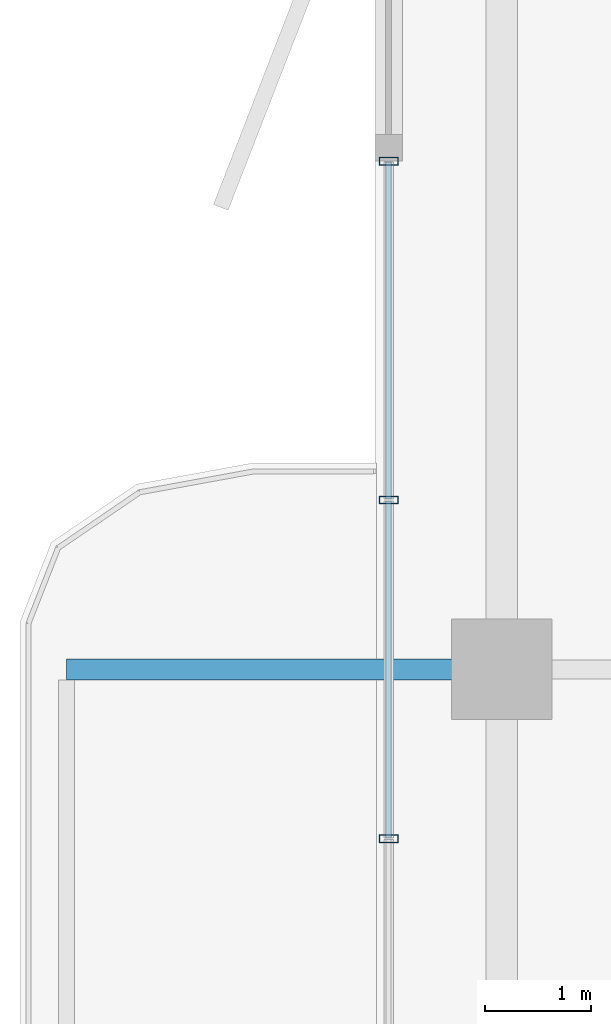
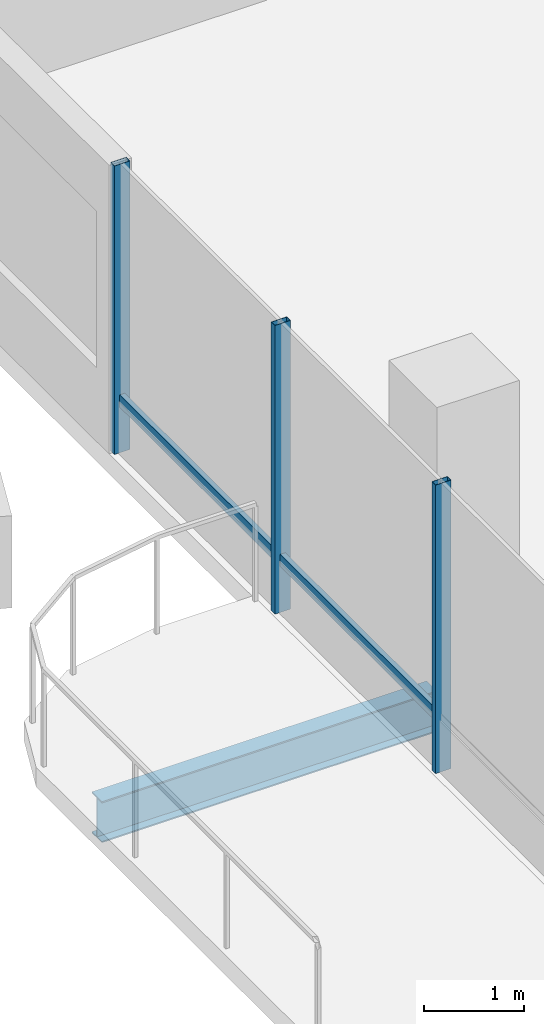
# One storey, part 6 of 18: 5 members, 1 beam, 1 element without a shape of its own.
"""IFC4 building model written with IfcOpenShell, lengths in metres."""

import ifcopenshell
import ifcopenshell.guid

model = None  # the IFC model being written
_history = None  # IfcOwnerHistory: only IFC2X3 demands one
_inside = {}  # id of a spatial element -> (the spatial element, [elements in it])
_under = {}  # id of a project, library or spatial element -> (it, [spatial elements below it])
_declared = {}  # id of a project -> (the project, [libraries it declares])
_typed = {}  # id of a type object -> (the type object, [elements of that type])
_made_of = {}  # id of a material, layer set ... -> (it, [elements and type objects made of it])


def new_model(schema):
    """Start an empty IFC model of exactly this schema.

    Asked for "IFC4X3", IfcOpenShell would pick the latest addendum, in which some entities
    have other attributes; the version numbers below select the first issue.
    IFC2X3 requires an IfcOwnerHistory on every rooted entity: one is made here for all.
    """
    global model, _history
    if schema == "IFC4X3":
        model = ifcopenshell.file(schema_version=(4, 3, 0, 0))
    else:
        model = ifcopenshell.file(schema=schema)
    _inside.clear()
    _under.clear()
    _declared.clear()
    _typed.clear()
    _made_of.clear()
    _history = None
    if model.schema == "IFC2X3":
        org = make("IfcOrganization", Name="unknown")
        user = make(
            "IfcPersonAndOrganization",
            ThePerson=make("IfcPerson", FamilyName="unknown"),
            TheOrganization=org,
        )
        app = make(
            "IfcApplication",
            ApplicationDeveloper=org,
            Version="unknown",
            ApplicationFullName="unknown",
            ApplicationIdentifier="unknown",
        )
        _history = make(
            "IfcOwnerHistory",
            OwningUser=user,
            OwningApplication=app,
            ChangeAction="ADDED",
            CreationDate=0,
        )
    return model


def make(cls, **values):
    """One entity of the class cls with the attributes given. An attribute that is None is left unset."""
    return model.create_entity(
        cls, **{name: value for name, value in values.items() if value is not None}
    )


def rooted(cls, **values):
    """An entity with a GlobalId (a new one), such as an element, a storey or a relation."""
    return make(cls, GlobalId=ifcopenshell.guid.new(), OwnerHistory=_history, **values)


def si_unit(unit_type, name, prefix=None):
    """IfcSIUnit, for example si_unit("LENGTHUNIT", "METRE", prefix="MILLI")."""
    return make("IfcSIUnit", UnitType=unit_type, Prefix=prefix, Name=name)


def assignment(units):
    """IfcUnitAssignment: the units of a project."""
    return None if units is None else make("IfcUnitAssignment", Units=units)


def point(xyz):
    """IfcCartesianPoint."""
    return None if xyz is None else make("IfcCartesianPoint", Coordinates=xyz)


def direction(xyz):
    """IfcDirection."""
    return None if xyz is None else make("IfcDirection", DirectionRatios=xyz)


def frame(location, z_axis=None, x_axis=None):
    """IfcAxis2Placement3D, a coordinate frame: its origin and axes. An axis left out is left unset."""
    return make(
        "IfcAxis2Placement3D",
        Location=point(location),
        Axis=direction(z_axis),
        RefDirection=direction(x_axis),
    )


def frame_2d(location, x_axis=None):
    """IfcAxis2Placement2D, a coordinate frame in the plane: its origin and x axis."""
    return make(
        "IfcAxis2Placement2D", Location=point(location), RefDirection=direction(x_axis)
    )


def origin():
    """The frame at (0, 0, 0) with its axes left unset."""
    return frame((0.0, 0.0, 0.0))


def origin_2d():
    """The frame at (0, 0) in the plane with its x axis left unset."""
    return frame_2d((0.0, 0.0))


def place(relative_to, where):
    """IfcLocalPlacement: puts the frame where relative to a parent placement (None: the world)."""
    return make(
        "IfcLocalPlacement", PlacementRelTo=relative_to, RelativePlacement=where
    )


def context(
    kind, dimensions, precision=None, world=None, true_north=None, identifier=None
):
    """IfcGeometricRepresentationContext, for example the 3D "Model" context."""
    return make(
        "IfcGeometricRepresentationContext",
        ContextIdentifier=identifier,
        ContextType=kind,
        CoordinateSpaceDimension=dimensions,
        Precision=precision,
        WorldCoordinateSystem=world,
        TrueNorth=true_north,
    )


def subcontext(parent, identifier, kind, view, scale=None):
    """IfcGeometricRepresentationSubContext, for example "Body" below "Model"."""
    return make(
        "IfcGeometricRepresentationSubContext",
        ContextIdentifier=identifier,
        ContextType=kind,
        ParentContext=parent,
        TargetScale=scale,
        TargetView=view,
    )


def project(units=None, contexts=None):
    """IfcProject with its units and contexts."""
    return rooted(
        "IfcProject",
        Name="project",
        RepresentationContexts=contexts,
        UnitsInContext=assignment(units),
    )


def spatial(cls, under=None, at=None, **own):
    """A site, building, storey or space (cls), placed at a placement, below another one or the project."""
    s = rooted(cls, ObjectPlacement=at, **own)
    if under is not None:
        _under.setdefault(under.id(), (under, []))[1].append(s)
    return s


def profile(cls, at=None, kind="AREA", **sizes):
    """A parametric profile (cls). Its sizes go by their IFC names, for example OverallWidth=200.0."""
    return make(cls, ProfileType=kind, Position=at, **sizes)


def hollow_rectangle(**sizes):
    """IfcRectangleHollowProfileDef."""
    return profile("IfcRectangleHollowProfileDef", **sizes)


def i_section(**sizes):
    """IfcIShapeProfileDef."""
    return profile("IfcIShapeProfileDef", **sizes)


def extrude(swept, where, along, depth):
    """IfcExtrudedAreaSolid: the profile swept, set in the frame where, extruded along a direction by depth."""
    return make(
        "IfcExtrudedAreaSolid",
        SweptArea=swept,
        Position=where,
        ExtrudedDirection=direction(along),
        Depth=depth,
    )


def shape(context_of_items, identifier, shape_type, items):
    """IfcShapeRepresentation: the items that make up one representation, for example the "Body"."""
    return make(
        "IfcShapeRepresentation",
        ContextOfItems=context_of_items,
        RepresentationIdentifier=identifier,
        RepresentationType=shape_type,
        Items=items,
    )


def material(Name=None, Category=None):
    """IfcMaterial."""
    return make("IfcMaterial", Name=Name, Category=Category)


def layer(
    of_material, thickness, ventilated=None, Name=None, Category=None, Priority=None
):
    """IfcMaterialLayer: one layer of a wall or slab, of a material (None: an air gap)."""
    return make(
        "IfcMaterialLayer",
        Material=of_material,
        LayerThickness=thickness,
        IsVentilated=ventilated,
        Name=Name,
        Category=Category,
        Priority=Priority,
    )


def layer_set(layers, Name=None):
    """IfcMaterialLayerSet."""
    return make("IfcMaterialLayerSet", MaterialLayers=layers, LayerSetName=Name)


def material_profile(
    of_material, cross_section, Name=None, Category=None, Priority=None
):
    """IfcMaterialProfile: a cross section and its material."""
    return make(
        "IfcMaterialProfile",
        Name=Name,
        Material=of_material,
        Profile=cross_section,
        Priority=Priority,
        Category=Category,
    )


def profile_set(profiles, Name=None, composite=None):
    """IfcMaterialProfileSet."""
    return make(
        "IfcMaterialProfileSet",
        Name=Name,
        MaterialProfiles=profiles,
        CompositeProfile=composite,
    )


def made_of(thing, what):
    """Note that an element or type object is made of a material, layer set ...; save() writes the relation."""
    if what is not None:
        _made_of.setdefault(what.id(), (what, []))[1].append(thing)
    return thing


def type_object(cls, material=None, **own):
    """A type object (cls), such as IfcWallType, which elements share."""
    return made_of(rooted(cls, **own), material)


def element(
    cls,
    number,
    at=None,
    inside=None,
    cuts=None,
    type_object=None,
    material=None,
    context=None,
    identifier="Body",
    shape_type=None,
    held_by="IfcProductDefinitionShape",
    body=None,
    shapes=None,
    **own,
):
    """One element of the class cls, such as IfcWall. Its Tag is "e" and its number.

    at: its placement. inside: the storey or other place that contains it. cuts: it is an
    opening in that element (IfcRelVoidsElement). A single representation is given by context,
    identifier, shape_type and body (its items); several are given by shapes. held_by: the class
    of the entity that holds the representations. save() writes the other relations.
    """
    e = rooted(cls, Tag="e%d" % number, ObjectPlacement=at, **own)
    if body is not None:
        shapes = [shape(context, identifier, shape_type, body)]
    if shapes is not None:
        e.Representation = make(held_by, Representations=shapes)
    if inside is not None:
        _inside.setdefault(inside.id(), (inside, []))[1].append(e)
    if cuts is not None:
        rooted(
            "IfcRelVoidsElement", RelatingBuildingElement=cuts, RelatedOpeningElement=e
        )
    if type_object is not None:
        _typed.setdefault(type_object.id(), (type_object, []))[1].append(e)
    return made_of(e, material)


def aggregate(whole, parts):
    """IfcRelAggregates: a whole, such as a stair, and the parts it consists of."""
    return rooted("IfcRelAggregates", RelatingObject=whole, RelatedObjects=parts)


def save(model, path):
    """Write the relations noted so far, then the file.

    IfcRelAggregates (storeys below a building ...), IfcRelContainedInSpatialStructure (elements
    in a storey), IfcRelDefinesByType, IfcRelAssociatesMaterial and IfcRelDeclares: one each for
    every whole, place, type object, material and project.
    """
    for whole, parts in _under.values():
        aggregate(whole, parts)
    for where, things in _inside.values():
        rooted(
            "IfcRelContainedInSpatialStructure",
            RelatedElements=things,
            RelatingStructure=where,
        )
    for kind, things in _typed.values():
        rooted("IfcRelDefinesByType", RelatedObjects=things, RelatingType=kind)
    for what, things in _made_of.values():
        rooted("IfcRelAssociatesMaterial", RelatedObjects=things, RelatingMaterial=what)
    for by, libraries in _declared.values():
        rooted("IfcRelDeclares", RelatingContext=by, RelatedDefinitions=libraries)
    model.write(path)


model = new_model("IFC4")

# Units and contexts
model_context = context("Model", 3, precision=1e-05, world=origin(), true_north=direction((0.0, 1.0)))
body_context = subcontext(model_context, "Body", "Model", "MODEL_VIEW")
ifc_project = project(units=[si_unit("LENGTHUNIT", "METRE"), si_unit("AREAUNIT", "SQUARE_METRE"), si_unit("VOLUMEUNIT", "CUBIC_METRE"), si_unit("PLANEANGLEUNIT", "RADIAN"), si_unit("MASSUNIT", "GRAM", prefix="KILO")], contexts=[model_context])

# Site, building, storey
site_placement = place(None, origin())
site = spatial("IfcSite", under=ifc_project, at=site_placement, CompositionType="ELEMENT")
building_placement = place(site_placement, origin())
building = spatial("IfcBuilding", under=site, at=building_placement, Name="Belovzor Exchange Tower", CompositionType="ELEMENT")
storey_placement = place(building_placement, frame((0.0, 0.0, 318.0)))
storey = spatial("IfcBuildingStorey", under=building, at=storey_placement, Name="L79", CompositionType="ELEMENT", Elevation=318.0)

# Beam
ifc_material_1 = material(Name="Steel S355", Category="steel")
ifc_material_profile_1 = material_profile(ifc_material_1, i_section(OverallWidth=0.199951171875, OverallDepth=0.5, WebThickness=0.01025390625, FlangeThickness=0.01611328125, at=origin_2d()))
ifc_profile_set_1 = profile_set([ifc_material_profile_1], Name="Steel S355")
beam_type = type_object("IfcBeamType", Name="Planted Balcony Cantilever Beam IPE 500", PredefinedType="BEAM", material=ifc_profile_set_1)
beam_placement = place(storey_placement, frame((6.93896484375, 28.800048828125, -0.489990234375), z_axis=(-1.0, 0.0, 0.0), x_axis=(0.0, -1.0, 0.0)))
element("IfcBeam", 1, at=beam_placement, inside=storey, type_object=beam_type, Name="BC-500 Planted Balcony Cantilever Beam IPE 500", PredefinedType="BEAM", context=body_context, shape_type="SweptSolid", body=[
    extrude(i_section(OverallWidth=0.199951171875, OverallDepth=0.5, WebThickness=0.01025390625, FlangeThickness=0.01611328125, at=origin_2d()), origin(), (0.0, 0.0, 1.0), 3.849853515625),
])

# Curtain wall, members
ifc_material_2 = material(Name="Anodised Aluminium Framing", Category="aluminium")
ifc_layer = layer(ifc_material_2, 0.179931640625)
ifc_layer_set = layer_set([ifc_layer], Name="Anodised Aluminium Framing")
curtain_wall_type = type_object("IfcCurtainWallType", Name="Recessed Loggia Low-Iron Triple-Glazed Curtain Wall", PredefinedType="NOTDEFINED", material=ifc_layer_set)
curtain_wall_placement = place(storey_placement, origin())
curtain_wall = element("IfcCurtainWall", 2, at=curtain_wall_placement, inside=storey, type_object=curtain_wall_type, Name="CW3 Recessed Loggia Low-Iron Triple-Glazed Curtain Wall L79", PredefinedType="NOTDEFINED")
ifc_material_3 = material(Name="Steel S355", Category="steel")
ifc_material_profile_2 = material_profile(ifc_material_3, hollow_rectangle(XDim=0.074951171875, YDim=0.179931640625, WallThickness=0.0048828125, at=origin_2d()))
ifc_profile_set_2 = profile_set([ifc_material_profile_2], Name="Steel S355")
member_type_1 = type_object("IfcMemberType", Name="Thermally Broken Curtain Wall Mullion 180x75", PredefinedType="MULLION", material=ifc_profile_set_2)
member_1_placement = place(storey_placement, frame((6.1298828125, 27.199951171875, 0.0), z_axis=(0.0, 0.0, 1.0), x_axis=(0.0, 1.0, 0.0)))
member_1 = element("IfcMember", 3, at=member_1_placement, type_object=member_type_1, Name="CW-M180 Curtain Wall Mullion 2", PredefinedType="MULLION", context=body_context, shape_type="SweptSolid", body=[
    extrude(hollow_rectangle(XDim=0.074951171875, YDim=0.179931640625, WallThickness=0.0048828125, at=origin_2d()), origin(), (0.0, 0.0, 1.0), 3.510009765625),
])
member_2_placement = place(storey_placement, frame((6.1298828125, 30.39990234375, 0.0), z_axis=(0.0, 0.0, 1.0), x_axis=(0.0, 1.0, 0.0)))
member_2 = element("IfcMember", 4, at=member_2_placement, type_object=member_type_1, Name="CW-M180 Curtain Wall Mullion 3", PredefinedType="MULLION", context=body_context, shape_type="SweptSolid", body=[
    extrude(hollow_rectangle(XDim=0.074951171875, YDim=0.179931640625, WallThickness=0.0048828125, at=origin_2d()), origin(), (0.0, 0.0, 1.0), 3.510009765625),
])
member_3_placement = place(storey_placement, frame((6.1298828125, 33.60009765625, 0.0), z_axis=(0.0, 0.0, 1.0), x_axis=(0.0, 1.0, 0.0)))
member_3 = element("IfcMember", 5, at=member_3_placement, type_object=member_type_1, Name="CW-M180 Curtain Wall Mullion 4", PredefinedType="MULLION", context=body_context, shape_type="SweptSolid", body=[
    extrude(hollow_rectangle(XDim=0.074951171875, YDim=0.179931640625, WallThickness=0.0048828125, at=origin_2d()), origin(), (0.0, 0.0, 1.0), 3.510009765625),
])
ifc_material_4 = material(Name="Steel S355", Category="steel")
ifc_material_profile_3 = material_profile(ifc_material_4, hollow_rectangle(XDim=0.06005859375, YDim=0.14990234375, WallThickness=0.00390625, at=origin_2d()))
ifc_profile_set_3 = profile_set([ifc_material_profile_3], Name="Steel S355")
member_type_2 = type_object("IfcMemberType", Name="Thermally Broken Curtain Wall Transom 150x60", PredefinedType="USERDEFINED", material=ifc_profile_set_3)
member_4_placement = place(storey_placement, frame((6.1298828125, 27.2080078125, 0.632080078125), z_axis=(0.0, 1.0, 0.0), x_axis=(-1.0, 0.0, 0.0)))
member_4 = element("IfcMember", 6, at=member_4_placement, type_object=member_type_2, Name="CW-T150 Curtain Wall Transom 2", ObjectType="TRANSOM", PredefinedType="USERDEFINED", context=body_context, shape_type="SweptSolid", body=[
    extrude(hollow_rectangle(XDim=0.06005859375, YDim=0.14990234375, WallThickness=0.00390625, at=origin_2d()), origin(), (0.0, 0.0, 1.0), 3.18408203125),
])
member_5_placement = place(storey_placement, frame((6.1298828125, 30.407958984375, 0.632080078125), z_axis=(0.0, 1.0, 0.0), x_axis=(-1.0, 0.0, 0.0)))
member_5 = element("IfcMember", 7, at=member_5_placement, type_object=member_type_2, Name="CW-T150 Curtain Wall Transom 3", ObjectType="TRANSOM", PredefinedType="USERDEFINED", context=body_context, shape_type="SweptSolid", body=[
    extrude(hollow_rectangle(XDim=0.06005859375, YDim=0.14990234375, WallThickness=0.00390625, at=origin_2d()), origin(), (0.0, 0.0, 1.0), 3.18408203125),
])
aggregate(curtain_wall, [member_1, member_2, member_3, member_4, member_5])

save(model, "model.ifc")
